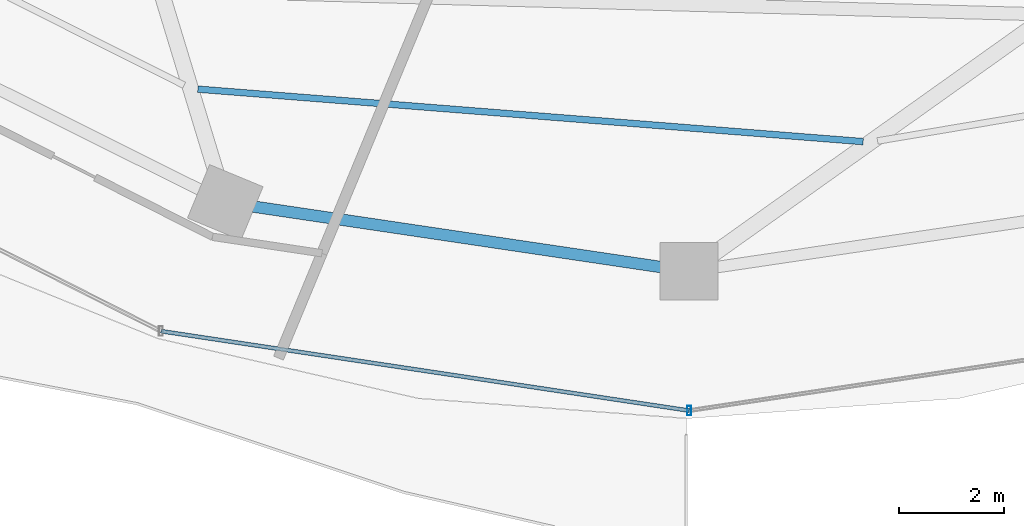
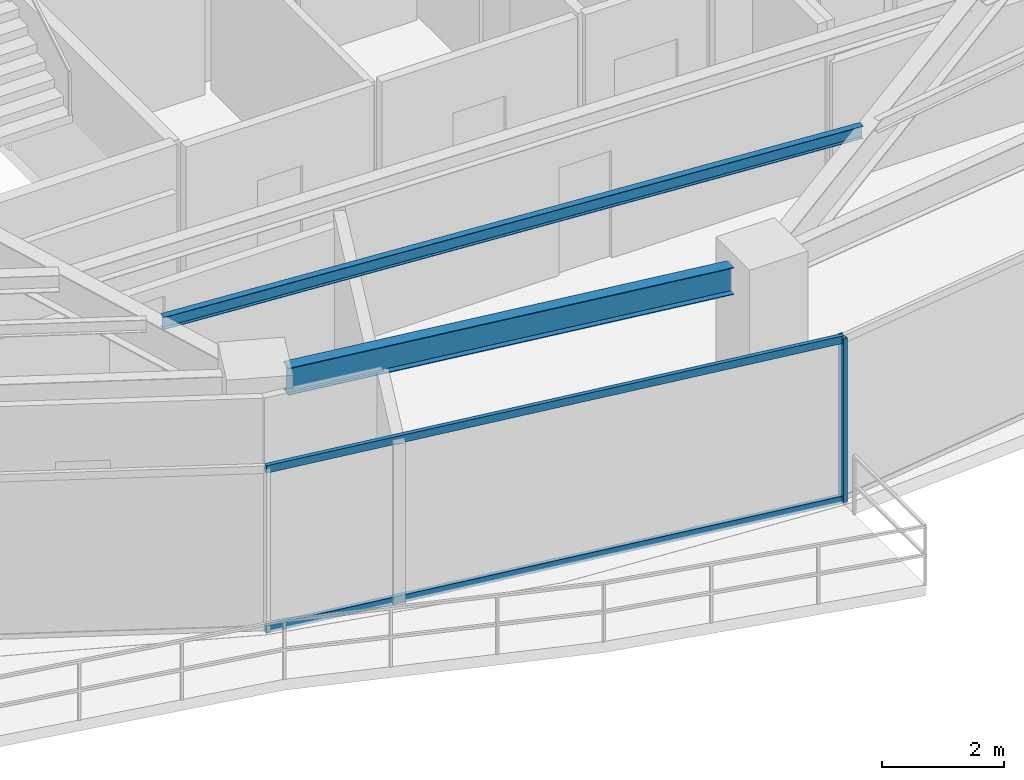
# One storey, part 5 of 31: 3 members, 2 beams, 1 element without a shape of its own.
"""IFC4 building model written with IfcOpenShell, lengths in metres."""

from ifc_helpers import new_model, si_unit, direction, frame, origin, origin_2d, place, context, subcontext, project, spatial, hollow_rectangle, i_section, extrude, material, material_profile, profile_set, type_object, element, aggregate, save


model = new_model("IFC4")

# Units and contexts
model_context = context("Model", 3, precision=1e-05, world=origin(), true_north=direction((0.0, 1.0)))
body_context = subcontext(model_context, "Body", "Model", "MODEL_VIEW")
ifc_project = project(units=[si_unit("LENGTHUNIT", "METRE"), si_unit("AREAUNIT", "SQUARE_METRE"), si_unit("VOLUMEUNIT", "CUBIC_METRE"), si_unit("PLANEANGLEUNIT", "RADIAN"), si_unit("MASSUNIT", "GRAM", prefix="KILO")], contexts=[model_context])

# Site, building, storey
site_placement = place(None, origin())
site = spatial("IfcSite", under=ifc_project, at=site_placement, CompositionType="ELEMENT")
building_placement = place(site_placement, origin())
building = spatial("IfcBuilding", under=site, at=building_placement, Name="Vorneva Point Tower", CompositionType="ELEMENT")
storey_placement = place(building_placement, frame((0.0, 0.0, 99.800048828125)))
storey = spatial("IfcBuildingStorey", under=building, at=storey_placement, Name="L26", CompositionType="ELEMENT", Elevation=99.800048828125)

# Beams
ifc_material_1 = material(Name="Steel S355", Category="steel")
ifc_material_profile_1 = material_profile(ifc_material_1, i_section(OverallWidth=0.1240234375, OverallDepth=0.248046875, WebThickness=0.0048828125, FlangeThickness=0.008056640625, at=origin_2d()), Name="25B1")
ifc_profile_set_1 = profile_set([ifc_material_profile_1], Name="Steel S355")
beam_type_1 = type_object("IfcBeamType", Name="BM-JST-25B1", PredefinedType="JOIST", material=ifc_profile_set_1)
beam_1_placement = place(storey_placement, frame((28.657958984375, 12.263427734375, 3.115966796875), z_axis=(0.996902079172, -0.078652682998, 0.0), x_axis=(0.078652682998, 0.996902079172, 0.0)))
element("IfcBeam", 1, at=beam_1_placement, inside=storey, type_object=beam_type_1, Name="L26 Secondary Floor Beam 1.12", PredefinedType="JOIST", context=body_context, shape_type="SweptSolid", body=[
    extrude(i_section(OverallWidth=0.1240234375, OverallDepth=0.248046875, WebThickness=0.0048828125, FlangeThickness=0.008056640625, at=origin_2d()), origin(), (0.0, 0.0, 1.0), 12.6923828125),
])
ifc_material_profile_2 = material_profile(ifc_material_1, i_section(OverallWidth=0.219970703125, OverallDepth=0.54296875, WebThickness=0.009521484375, FlangeThickness=0.013427734375, at=origin_2d()), Name="55B1")
ifc_profile_set_2 = profile_set([ifc_material_profile_2], Name="Steel S355")
beam_type_2 = type_object("IfcBeamType", Name="BM-SPN-55B1", PredefinedType="SPANDREL", material=ifc_profile_set_2)
beam_2_placement = place(storey_placement, frame((29.708251953125, 10.03076171875, 2.968505859375), z_axis=(0.989164507783, -0.146811363806, 0.0), x_axis=(0.146811363806, 0.989164507783, 0.0)))
element("IfcBeam", 2, at=beam_2_placement, inside=storey, type_object=beam_type_2, Name="L26 Perimeter Spandrel Ring Beam 12", PredefinedType="SPANDREL", context=body_context, shape_type="SweptSolid", body=[
    extrude(i_section(OverallWidth=0.219970703125, OverallDepth=0.54296875, WebThickness=0.009521484375, FlangeThickness=0.013427734375, at=origin_2d()), origin(), (0.0, 0.0, 1.0), 7.847412109375),
])

# Curtain wall, members
ifc_material_2 = material(Name="Pale anodised aluminium", Category="aluminium")
curtain_wall_type = type_object("IfcCurtainWallType", Name="CW-HTL-SYS", PredefinedType="NOTDEFINED", material=ifc_material_2)
curtain_wall_placement = place(storey_placement, origin())
curtain_wall = element("IfcCurtainWall", 3, at=curtain_wall_placement, inside=storey, type_object=curtain_wall_type, Name="L26 Unitised Curtain Wall CW-L26-R04", PredefinedType="NOTDEFINED")
ifc_material_profile_3 = material_profile(ifc_material_2, hollow_rectangle(XDim=0.074951171875, YDim=0.179931640625, WallThickness=0.00390625, at=origin_2d()), Name="AL-MUL 180x75x4")
ifc_profile_set_3 = profile_set([ifc_material_profile_3], Name="Pale anodised aluminium")
member_type_1 = type_object("IfcMemberType", Name="CW-MUL-180", PredefinedType="MULLION", material=ifc_profile_set_3)
member_1_placement = place(storey_placement, frame((38.0, 6.14990234375, -0.0400390625), z_axis=(0.0, 0.0, 1.0), x_axis=(1.0, 0.0, 0.0)))
member_1 = element("IfcMember", 4, at=member_1_placement, type_object=member_type_1, Name="CW-L26-R04 Mullion 03", PredefinedType="MULLION", context=body_context, shape_type="SweptSolid", body=[
    extrude(hollow_rectangle(XDim=0.074951171875, YDim=0.179931640625, WallThickness=0.00390625, at=origin_2d()), origin(), (0.0, 0.0, 1.0), 3.31005859375),
])
ifc_material_profile_4 = material_profile(ifc_material_2, hollow_rectangle(XDim=0.074951171875, YDim=0.14990234375, WallThickness=0.00390625, at=origin_2d()), Name="AL-TRN 150x75x4")
ifc_profile_set_4 = profile_set([ifc_material_profile_4], Name="Pale anodised aluminium")
member_type_2 = type_object("IfcMemberType", Name="CW-TRN-150", PredefinedType="USERDEFINED", material=ifc_profile_set_4)
member_2_placement = place(storey_placement, frame((27.95458984375, 7.660888671875, 0.02001953125), z_axis=(0.988875982167, -0.148742367512, 0.0), x_axis=(0.148742367512, 0.988875982167, 0.0)))
member_2 = element("IfcMember", 5, at=member_2_placement, type_object=member_type_2, Name="CW-L26-R04 Transom 02.1", ObjectType="TRANSOM", PredefinedType="USERDEFINED", context=body_context, shape_type="SweptSolid", body=[
    extrude(hollow_rectangle(XDim=0.074951171875, YDim=0.14990234375, WallThickness=0.00390625, at=origin_2d()), origin(), (0.0, 0.0, 1.0), 10.158447265625),
])
member_3_placement = place(storey_placement, frame((27.95458984375, 7.660888671875, 3.219970703125), z_axis=(0.988875982167, -0.148742367512, 0.0), x_axis=(0.148742367512, 0.988875982167, 0.0)))
member_3 = element("IfcMember", 6, at=member_3_placement, type_object=member_type_2, Name="CW-L26-R04 Transom 02.2", ObjectType="TRANSOM", PredefinedType="USERDEFINED", context=body_context, shape_type="SweptSolid", body=[
    extrude(hollow_rectangle(XDim=0.074951171875, YDim=0.14990234375, WallThickness=0.00390625, at=origin_2d()), origin(), (0.0, 0.0, 1.0), 10.158447265625),
])
aggregate(curtain_wall, [member_1, member_2, member_3])

save(model, "model.ifc")
